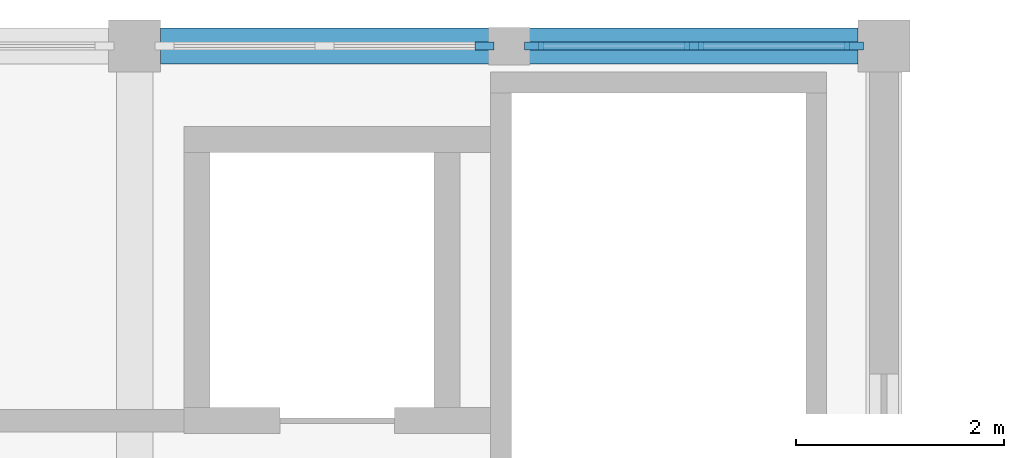
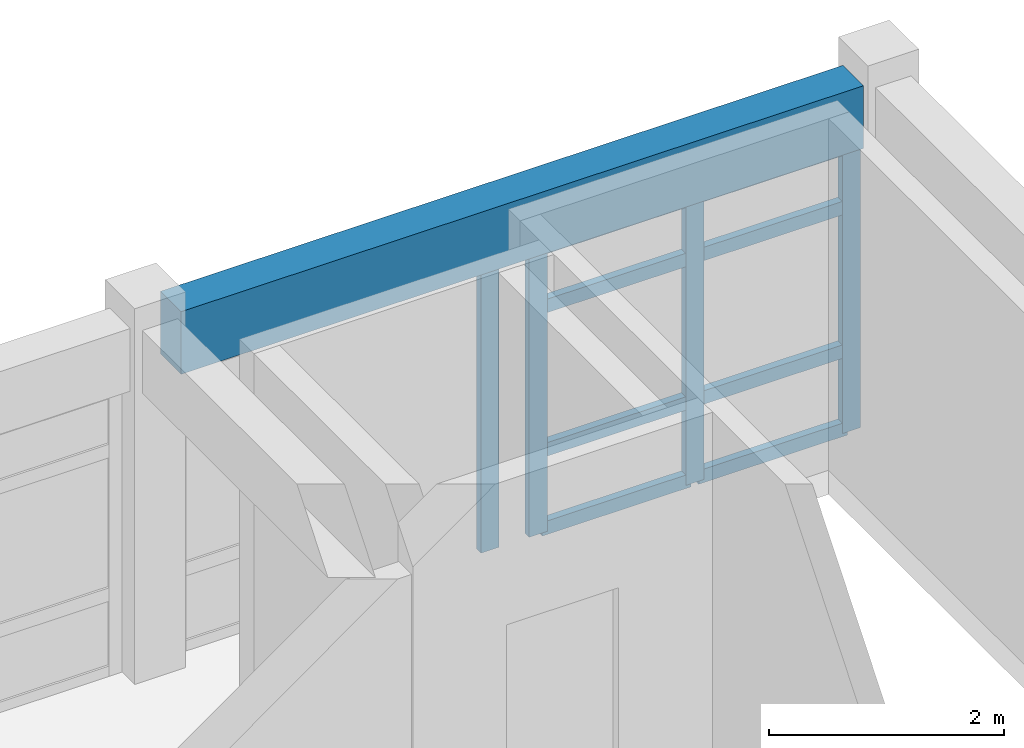
# One storey, part 5 of 14: 12 members, 1 beam, 2 elements without a shape of their own.
"""IFC4 building model written with IfcOpenShell, lengths in metres."""

import ifcopenshell
import ifcopenshell.guid

model = None  # the IFC model being written
_history = None  # IfcOwnerHistory: only IFC2X3 demands one
_inside = {}  # id of a spatial element -> (the spatial element, [elements in it])
_under = {}  # id of a project, library or spatial element -> (it, [spatial elements below it])
_declared = {}  # id of a project -> (the project, [libraries it declares])
_typed = {}  # id of a type object -> (the type object, [elements of that type])
_made_of = {}  # id of a material, layer set ... -> (it, [elements and type objects made of it])


def new_model(schema):
    """Start an empty IFC model of exactly this schema.

    Asked for "IFC4X3", IfcOpenShell would pick the latest addendum, in which some entities
    have other attributes; the version numbers below select the first issue.
    IFC2X3 requires an IfcOwnerHistory on every rooted entity: one is made here for all.
    """
    global model, _history
    if schema == "IFC4X3":
        model = ifcopenshell.file(schema_version=(4, 3, 0, 0))
    else:
        model = ifcopenshell.file(schema=schema)
    _inside.clear()
    _under.clear()
    _declared.clear()
    _typed.clear()
    _made_of.clear()
    _history = None
    if model.schema == "IFC2X3":
        org = make("IfcOrganization", Name="unknown")
        user = make(
            "IfcPersonAndOrganization",
            ThePerson=make("IfcPerson", FamilyName="unknown"),
            TheOrganization=org,
        )
        app = make(
            "IfcApplication",
            ApplicationDeveloper=org,
            Version="unknown",
            ApplicationFullName="unknown",
            ApplicationIdentifier="unknown",
        )
        _history = make(
            "IfcOwnerHistory",
            OwningUser=user,
            OwningApplication=app,
            ChangeAction="ADDED",
            CreationDate=0,
        )
    return model


def make(cls, **values):
    """One entity of the class cls with the attributes given. An attribute that is None is left unset."""
    return model.create_entity(
        cls, **{name: value for name, value in values.items() if value is not None}
    )


def rooted(cls, **values):
    """An entity with a GlobalId (a new one), such as an element, a storey or a relation."""
    return make(cls, GlobalId=ifcopenshell.guid.new(), OwnerHistory=_history, **values)


def si_unit(unit_type, name, prefix=None):
    """IfcSIUnit, for example si_unit("LENGTHUNIT", "METRE", prefix="MILLI")."""
    return make("IfcSIUnit", UnitType=unit_type, Prefix=prefix, Name=name)


def assignment(units):
    """IfcUnitAssignment: the units of a project."""
    return None if units is None else make("IfcUnitAssignment", Units=units)


def point(xyz):
    """IfcCartesianPoint."""
    return None if xyz is None else make("IfcCartesianPoint", Coordinates=xyz)


def direction(xyz):
    """IfcDirection."""
    return None if xyz is None else make("IfcDirection", DirectionRatios=xyz)


def frame(location, z_axis=None, x_axis=None):
    """IfcAxis2Placement3D, a coordinate frame: its origin and axes. An axis left out is left unset."""
    return make(
        "IfcAxis2Placement3D",
        Location=point(location),
        Axis=direction(z_axis),
        RefDirection=direction(x_axis),
    )


def frame_2d(location, x_axis=None):
    """IfcAxis2Placement2D, a coordinate frame in the plane: its origin and x axis."""
    return make(
        "IfcAxis2Placement2D", Location=point(location), RefDirection=direction(x_axis)
    )


def origin():
    """The frame at (0, 0, 0) with its axes left unset."""
    return frame((0.0, 0.0, 0.0))


def origin_2d():
    """The frame at (0, 0) in the plane with its x axis left unset."""
    return frame_2d((0.0, 0.0))


def place(relative_to, where):
    """IfcLocalPlacement: puts the frame where relative to a parent placement (None: the world)."""
    return make(
        "IfcLocalPlacement", PlacementRelTo=relative_to, RelativePlacement=where
    )


def context(
    kind, dimensions, precision=None, world=None, true_north=None, identifier=None
):
    """IfcGeometricRepresentationContext, for example the 3D "Model" context."""
    return make(
        "IfcGeometricRepresentationContext",
        ContextIdentifier=identifier,
        ContextType=kind,
        CoordinateSpaceDimension=dimensions,
        Precision=precision,
        WorldCoordinateSystem=world,
        TrueNorth=true_north,
    )


def subcontext(parent, identifier, kind, view, scale=None):
    """IfcGeometricRepresentationSubContext, for example "Body" below "Model"."""
    return make(
        "IfcGeometricRepresentationSubContext",
        ContextIdentifier=identifier,
        ContextType=kind,
        ParentContext=parent,
        TargetScale=scale,
        TargetView=view,
    )


def project(units=None, contexts=None):
    """IfcProject with its units and contexts."""
    return rooted(
        "IfcProject",
        Name="project",
        RepresentationContexts=contexts,
        UnitsInContext=assignment(units),
    )


def spatial(cls, under=None, at=None, **own):
    """A site, building, storey or space (cls), placed at a placement, below another one or the project."""
    s = rooted(cls, ObjectPlacement=at, **own)
    if under is not None:
        _under.setdefault(under.id(), (under, []))[1].append(s)
    return s


def profile(cls, at=None, kind="AREA", **sizes):
    """A parametric profile (cls). Its sizes go by their IFC names, for example OverallWidth=200.0."""
    return make(cls, ProfileType=kind, Position=at, **sizes)


def rectangle(**sizes):
    """IfcRectangleProfileDef."""
    return profile("IfcRectangleProfileDef", **sizes)


def extrude(swept, where, along, depth):
    """IfcExtrudedAreaSolid: the profile swept, set in the frame where, extruded along a direction by depth."""
    return make(
        "IfcExtrudedAreaSolid",
        SweptArea=swept,
        Position=where,
        ExtrudedDirection=direction(along),
        Depth=depth,
    )


def shape(context_of_items, identifier, shape_type, items):
    """IfcShapeRepresentation: the items that make up one representation, for example the "Body"."""
    return make(
        "IfcShapeRepresentation",
        ContextOfItems=context_of_items,
        RepresentationIdentifier=identifier,
        RepresentationType=shape_type,
        Items=items,
    )


def material(Name=None, Category=None):
    """IfcMaterial."""
    return make("IfcMaterial", Name=Name, Category=Category)


def layer(
    of_material, thickness, ventilated=None, Name=None, Category=None, Priority=None
):
    """IfcMaterialLayer: one layer of a wall or slab, of a material (None: an air gap)."""
    return make(
        "IfcMaterialLayer",
        Material=of_material,
        LayerThickness=thickness,
        IsVentilated=ventilated,
        Name=Name,
        Category=Category,
        Priority=Priority,
    )


def layer_set(layers, Name=None):
    """IfcMaterialLayerSet."""
    return make("IfcMaterialLayerSet", MaterialLayers=layers, LayerSetName=Name)


def material_profile(
    of_material, cross_section, Name=None, Category=None, Priority=None
):
    """IfcMaterialProfile: a cross section and its material."""
    return make(
        "IfcMaterialProfile",
        Name=Name,
        Material=of_material,
        Profile=cross_section,
        Priority=Priority,
        Category=Category,
    )


def profile_set(profiles, Name=None, composite=None):
    """IfcMaterialProfileSet."""
    return make(
        "IfcMaterialProfileSet",
        Name=Name,
        MaterialProfiles=profiles,
        CompositeProfile=composite,
    )


def made_of(thing, what):
    """Note that an element or type object is made of a material, layer set ...; save() writes the relation."""
    if what is not None:
        _made_of.setdefault(what.id(), (what, []))[1].append(thing)
    return thing


def type_object(cls, material=None, **own):
    """A type object (cls), such as IfcWallType, which elements share."""
    return made_of(rooted(cls, **own), material)


def element(
    cls,
    number,
    at=None,
    inside=None,
    cuts=None,
    type_object=None,
    material=None,
    context=None,
    identifier="Body",
    shape_type=None,
    held_by="IfcProductDefinitionShape",
    body=None,
    shapes=None,
    **own,
):
    """One element of the class cls, such as IfcWall. Its Tag is "e" and its number.

    at: its placement. inside: the storey or other place that contains it. cuts: it is an
    opening in that element (IfcRelVoidsElement). A single representation is given by context,
    identifier, shape_type and body (its items); several are given by shapes. held_by: the class
    of the entity that holds the representations. save() writes the other relations.
    """
    e = rooted(cls, Tag="e%d" % number, ObjectPlacement=at, **own)
    if body is not None:
        shapes = [shape(context, identifier, shape_type, body)]
    if shapes is not None:
        e.Representation = make(held_by, Representations=shapes)
    if inside is not None:
        _inside.setdefault(inside.id(), (inside, []))[1].append(e)
    if cuts is not None:
        rooted(
            "IfcRelVoidsElement", RelatingBuildingElement=cuts, RelatedOpeningElement=e
        )
    if type_object is not None:
        _typed.setdefault(type_object.id(), (type_object, []))[1].append(e)
    return made_of(e, material)


def aggregate(whole, parts):
    """IfcRelAggregates: a whole, such as a stair, and the parts it consists of."""
    return rooted("IfcRelAggregates", RelatingObject=whole, RelatedObjects=parts)


def save(model, path):
    """Write the relations noted so far, then the file.

    IfcRelAggregates (storeys below a building ...), IfcRelContainedInSpatialStructure (elements
    in a storey), IfcRelDefinesByType, IfcRelAssociatesMaterial and IfcRelDeclares: one each for
    every whole, place, type object, material and project.
    """
    for whole, parts in _under.values():
        aggregate(whole, parts)
    for where, things in _inside.values():
        rooted(
            "IfcRelContainedInSpatialStructure",
            RelatedElements=things,
            RelatingStructure=where,
        )
    for kind, things in _typed.values():
        rooted("IfcRelDefinesByType", RelatedObjects=things, RelatingType=kind)
    for what, things in _made_of.values():
        rooted("IfcRelAssociatesMaterial", RelatedObjects=things, RelatingMaterial=what)
    for by, libraries in _declared.values():
        rooted("IfcRelDeclares", RelatingContext=by, RelatedDefinitions=libraries)
    model.write(path)


model = new_model("IFC4")

# Units and contexts
model_context = context("Model", 3, precision=1e-05, world=origin(), true_north=direction((0.0, 1.0)))
body_context = subcontext(model_context, "Body", "Model", "MODEL_VIEW")
ifc_project = project(units=[si_unit("LENGTHUNIT", "METRE"), si_unit("AREAUNIT", "SQUARE_METRE"), si_unit("VOLUMEUNIT", "CUBIC_METRE"), si_unit("PLANEANGLEUNIT", "RADIAN"), si_unit("MASSUNIT", "GRAM", prefix="KILO")], contexts=[model_context])

# Site, building, storey
site_placement = place(None, origin())
site = spatial("IfcSite", under=ifc_project, at=site_placement, CompositionType="ELEMENT")
building_placement = place(site_placement, origin())
building = spatial("IfcBuilding", under=site, at=building_placement, Name="Koriwan Promenade Central Fire Station", CompositionType="ELEMENT")
storey_placement = place(building_placement, frame((0.0, 0.0, 21.300048828125)))
storey = spatial("IfcBuildingStorey", under=building, at=storey_placement, Name="L05", CompositionType="ELEMENT", Elevation=21.300048828125)

# Beam
ifc_material_1 = material(Name="Concrete C35/45", Category="concrete")
ifc_material_profile_1 = material_profile(ifc_material_1, rectangle(XDim=0.35009765625, YDim=0.64990234375, at=origin_2d()), Name="RC-SP-350x650")
ifc_profile_set_1 = profile_set([ifc_material_profile_1], Name="Concrete C35/45")
beam_type = type_object("IfcBeamType", Name="Beam_RC-SP-350x650", PredefinedType="SPANDREL", material=ifc_profile_set_1)
beam_placement = place(storey_placement, frame((93.85009765625, 115.199951171875, 3.324951171875), z_axis=(1.0, 0.0, 0.0), x_axis=(0.0, 1.0, 0.0)))
element("IfcBeam", 1, at=beam_placement, inside=storey, type_object=beam_type, Name="V2 L05 girder X-203", PredefinedType="SPANDREL", context=body_context, shape_type="SweptSolid", body=[
    extrude(rectangle(XDim=0.35009765625, YDim=0.64990234375, at=origin_2d()), origin(), (0.0, 0.0, 1.0), 6.699951171875),
])

# Curtain wall, members
ifc_material_2 = material(Name="Aluminium EN AW-6063-T6 and low-E glazing", Category="aluminium")
ifc_layer = layer(ifc_material_2, 0.159912109375, Name="Aluminium EN AW-6063-T6 and low-E glazing")
ifc_layer_set = layer_set([ifc_layer], Name="Aluminium EN AW-6063-T6 and low-E glazing")
curtain_wall_type = type_object("IfcCurtainWallType", Name="CurtainWall_15_315x299", PredefinedType="USERDEFINED", material=ifc_layer_set)
curtain_wall_1_placement = place(storey_placement, origin())
curtain_wall_1 = element("IfcCurtainWall", 2, at=curtain_wall_1_placement, inside=storey, type_object=curtain_wall_type, Name="V2 L05 unitised curtain wall 045", ObjectType="UNITISED CURTAIN WALL", PredefinedType="USERDEFINED")
ifc_material_3 = material(Name="Aluminium EN AW-6063-T6", Category="aluminium")
ifc_material_profile_2 = material_profile(ifc_material_3, rectangle(XDim=0.074951171875, YDim=0.179931640625, at=origin_2d()), Name="ALU-MUL-75x180")
ifc_profile_set_2 = profile_set([ifc_material_profile_2], Name="Aluminium EN AW-6063-T6")
member_type_1 = type_object("IfcMemberType", Name="CWMullion_ALU-MUL-75x180", PredefinedType="MULLION", material=ifc_profile_set_2)
member_1_placement = place(storey_placement, frame((100.512451171875, 115.199951171875, 0.0), z_axis=(0.0, 0.0, 1.0), x_axis=(0.0, -1.0, 0.0)))
member_1 = element("IfcMember", 3, at=member_1_placement, type_object=member_type_1, Name="CW-15 mullion 1", PredefinedType="MULLION", context=body_context, shape_type="SweptSolid", body=[
    extrude(rectangle(XDim=0.074951171875, YDim=0.179931640625, at=origin_2d()), origin(), (0.0, 0.0, 1.0), 2.989990234375),
])
member_2_placement = place(storey_placement, frame((98.97509765625, 115.199951171875, 0.0), z_axis=(0.0, 0.0, 1.0), x_axis=(0.0, -1.0, 0.0)))
member_2 = element("IfcMember", 4, at=member_2_placement, type_object=member_type_1, Name="CW-15 mullion 2", PredefinedType="MULLION", context=body_context, shape_type="SweptSolid", body=[
    extrude(rectangle(XDim=0.074951171875, YDim=0.179931640625, at=origin_2d()), origin(), (0.0, 0.0, 1.0), 2.989990234375),
])
member_3_placement = place(storey_placement, frame((97.4375, 115.199951171875, 0.0), z_axis=(0.0, 0.0, 1.0), x_axis=(0.0, -1.0, 0.0)))
member_3 = element("IfcMember", 5, at=member_3_placement, type_object=member_type_1, Name="CW-15 mullion 3", PredefinedType="MULLION", context=body_context, shape_type="SweptSolid", body=[
    extrude(rectangle(XDim=0.074951171875, YDim=0.179931640625, at=origin_2d()), origin(), (0.0, 0.0, 1.0), 2.989990234375),
])

# Curtain wall, member
curtain_wall_2_placement = place(storey_placement, origin())
curtain_wall_2 = element("IfcCurtainWall", 6, at=curtain_wall_2_placement, inside=storey, type_object=curtain_wall_type, Name="V2 L05 unitised curtain wall 046", ObjectType="UNITISED CURTAIN WALL", PredefinedType="USERDEFINED")
member_4_placement = place(storey_placement, frame((96.96240234375, 115.199951171875, 0.0), z_axis=(0.0, 0.0, 1.0), x_axis=(0.0, -1.0, 0.0)))
member_4 = element("IfcMember", 7, at=member_4_placement, type_object=member_type_1, Name="CW-15 mullion 1", PredefinedType="MULLION", context=body_context, shape_type="SweptSolid", body=[
    extrude(rectangle(XDim=0.074951171875, YDim=0.179931640625, at=origin_2d()), origin(), (0.0, 0.0, 1.0), 2.989990234375),
])
aggregate(curtain_wall_2, [member_4])

# Member
ifc_material_profile_3 = material_profile(ifc_material_3, rectangle(XDim=0.074951171875, YDim=0.139892578125, at=origin_2d()), Name="ALU-TRN-75x140")
ifc_profile_set_3 = profile_set([ifc_material_profile_3], Name="Aluminium EN AW-6063-T6")
member_type_2 = type_object("IfcMemberType", Name="CWTransom_ALU-TRN-75x140", PredefinedType="USERDEFINED", material=ifc_profile_set_3)
member_5_placement = place(storey_placement, frame((100.47509765625, 115.199951171875, 0.037353515625), z_axis=(-1.0, 0.0, 0.0), x_axis=(0.0, -1.0, 0.0)))
member_5 = element("IfcMember", 8, at=member_5_placement, type_object=member_type_2, Name="CW-15 transom 1.1", ObjectType="TRANSOM", PredefinedType="USERDEFINED", context=body_context, shape_type="SweptSolid", body=[
    extrude(rectangle(XDim=0.074951171875, YDim=0.139892578125, at=origin_2d()), origin(), (0.0, 0.0, 1.0), 1.462646484375),
])

member_6_placement = place(storey_placement, frame((100.47509765625, 115.199951171875, 0.849853515625), z_axis=(-1.0, 0.0, 0.0), x_axis=(0.0, -1.0, 0.0)))
member_6 = element("IfcMember", 9, at=member_6_placement, type_object=member_type_2, Name="CW-15 transom 1.2", ObjectType="TRANSOM", PredefinedType="USERDEFINED", context=body_context, shape_type="SweptSolid", body=[
    extrude(rectangle(XDim=0.074951171875, YDim=0.139892578125, at=origin_2d()), origin(), (0.0, 0.0, 1.0), 1.462646484375),
])

member_7_placement = place(storey_placement, frame((100.47509765625, 115.199951171875, 2.33984375), z_axis=(-1.0, 0.0, 0.0), x_axis=(0.0, -1.0, 0.0)))
member_7 = element("IfcMember", 10, at=member_7_placement, type_object=member_type_2, Name="CW-15 transom 1.3", ObjectType="TRANSOM", PredefinedType="USERDEFINED", context=body_context, shape_type="SweptSolid", body=[
    extrude(rectangle(XDim=0.074951171875, YDim=0.139892578125, at=origin_2d()), origin(), (0.0, 0.0, 1.0), 1.462646484375),
])

member_8_placement = place(storey_placement, frame((100.47509765625, 115.199951171875, 2.952392578125), z_axis=(-1.0, 0.0, 0.0), x_axis=(0.0, -1.0, 0.0)))
member_8 = element("IfcMember", 11, at=member_8_placement, type_object=member_type_2, Name="CW-15 transom 1.4", ObjectType="TRANSOM", PredefinedType="USERDEFINED", context=body_context, shape_type="SweptSolid", body=[
    extrude(rectangle(XDim=0.074951171875, YDim=0.139892578125, at=origin_2d()), origin(), (0.0, 0.0, 1.0), 1.462646484375),
])

member_9_placement = place(storey_placement, frame((98.9375, 115.199951171875, 0.037353515625), z_axis=(-1.0, 0.0, 0.0), x_axis=(0.0, -1.0, 0.0)))
member_9 = element("IfcMember", 12, at=member_9_placement, type_object=member_type_2, Name="CW-15 transom 2.1", ObjectType="TRANSOM", PredefinedType="USERDEFINED", context=body_context, shape_type="SweptSolid", body=[
    extrude(rectangle(XDim=0.074951171875, YDim=0.139892578125, at=origin_2d()), origin(), (0.0, 0.0, 1.0), 1.46240234375),
])

member_10_placement = place(storey_placement, frame((98.9375, 115.199951171875, 0.849853515625), z_axis=(-1.0, 0.0, 0.0), x_axis=(0.0, -1.0, 0.0)))
member_10 = element("IfcMember", 13, at=member_10_placement, type_object=member_type_2, Name="CW-15 transom 2.2", ObjectType="TRANSOM", PredefinedType="USERDEFINED", context=body_context, shape_type="SweptSolid", body=[
    extrude(rectangle(XDim=0.074951171875, YDim=0.139892578125, at=origin_2d()), origin(), (0.0, 0.0, 1.0), 1.46240234375),
])

member_11_placement = place(storey_placement, frame((98.9375, 115.199951171875, 2.33984375), z_axis=(-1.0, 0.0, 0.0), x_axis=(0.0, -1.0, 0.0)))
member_11 = element("IfcMember", 14, at=member_11_placement, type_object=member_type_2, Name="CW-15 transom 2.3", ObjectType="TRANSOM", PredefinedType="USERDEFINED", context=body_context, shape_type="SweptSolid", body=[
    extrude(rectangle(XDim=0.074951171875, YDim=0.139892578125, at=origin_2d()), origin(), (0.0, 0.0, 1.0), 1.46240234375),
])

member_12_placement = place(storey_placement, frame((98.9375, 115.199951171875, 2.952392578125), z_axis=(-1.0, 0.0, 0.0), x_axis=(0.0, -1.0, 0.0)))
member_12 = element("IfcMember", 15, at=member_12_placement, type_object=member_type_2, Name="CW-15 transom 2.4", ObjectType="TRANSOM", PredefinedType="USERDEFINED", context=body_context, shape_type="SweptSolid", body=[
    extrude(rectangle(XDim=0.074951171875, YDim=0.139892578125, at=origin_2d()), origin(), (0.0, 0.0, 1.0), 1.46240234375),
])

aggregate(curtain_wall_1, [member_1, member_2, member_3, member_5, member_6, member_7, member_8, member_9, member_10, member_11, member_12])

save(model, "model.ifc")
